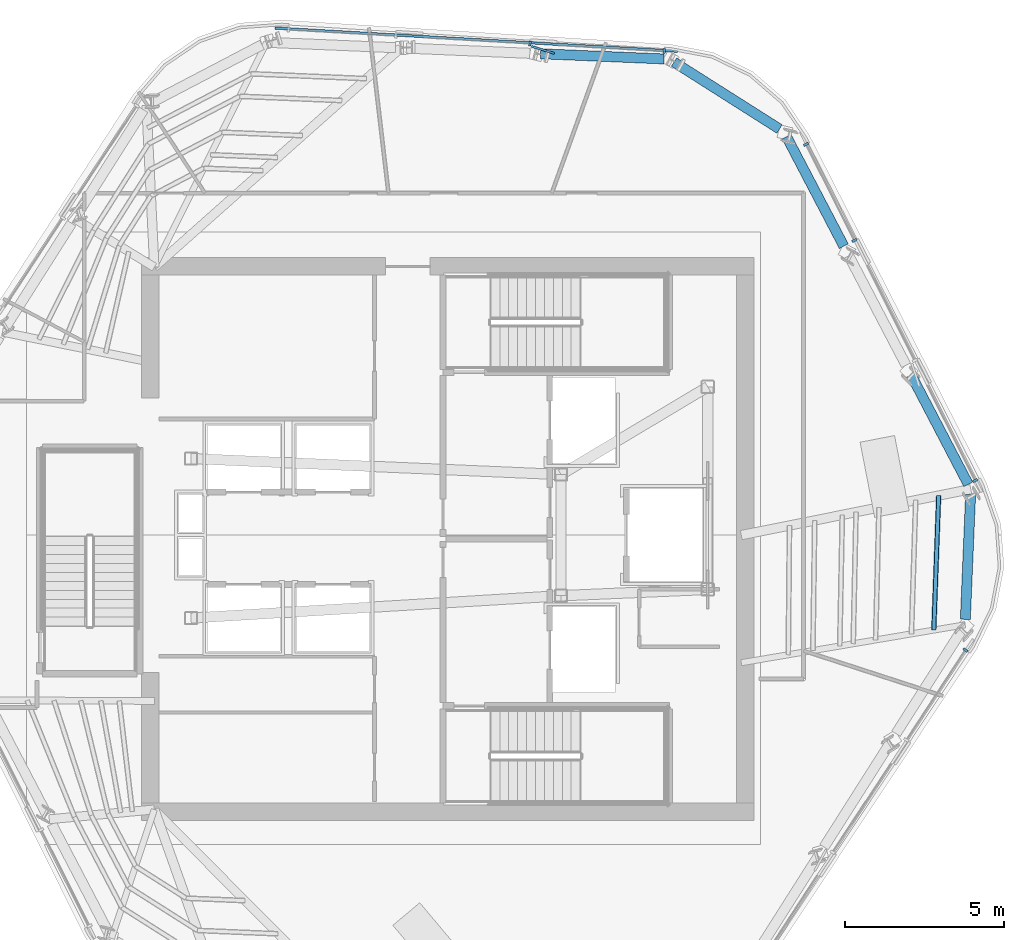
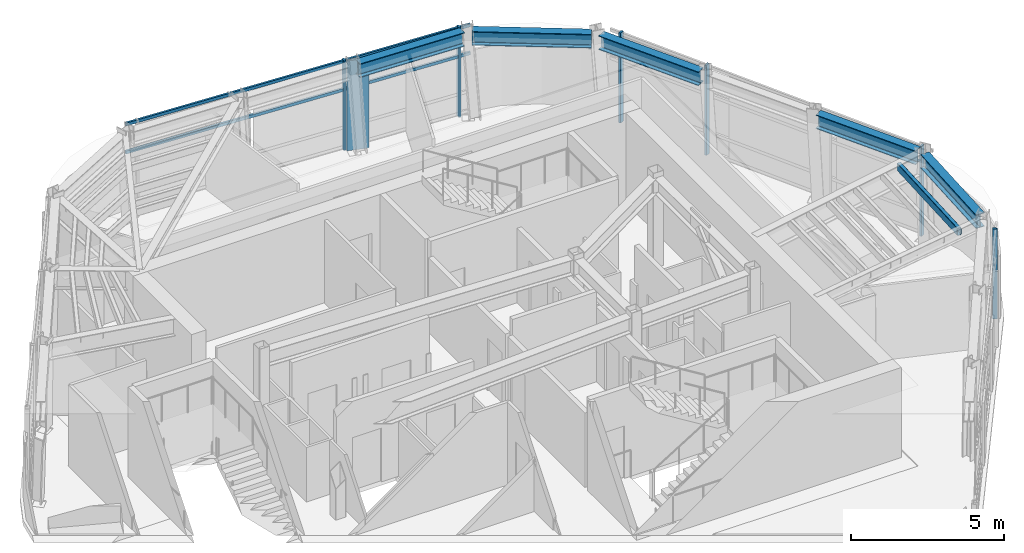
# One storey, part 5 of 13: 10 members, 5 beams, 3 elements without a shape of their own.
"""IFC4 building model written with IfcOpenShell, lengths in metres."""

from ifc_helpers import new_model, si_unit, direction, frame, origin, origin_2d, place, context, subcontext, project, spatial, rectangle, hollow_rectangle, i_section, extrude, material, layer, layer_set, material_profile, profile_set, type_object, element, aggregate, save


model = new_model("IFC4")

# Units and contexts
model_context = context("Model", 3, precision=1e-05, world=origin(), true_north=direction((0.0, 1.0)))
body_context = subcontext(model_context, "Body", "Model", "MODEL_VIEW")
ifc_project = project(units=[si_unit("LENGTHUNIT", "METRE"), si_unit("AREAUNIT", "SQUARE_METRE"), si_unit("VOLUMEUNIT", "CUBIC_METRE"), si_unit("PLANEANGLEUNIT", "RADIAN"), si_unit("MASSUNIT", "GRAM", prefix="KILO")], contexts=[model_context])

# Site, building, storey
site_placement = place(None, origin())
site = spatial("IfcSite", under=ifc_project, at=site_placement, CompositionType="ELEMENT")
building_placement = place(site_placement, origin())
building = spatial("IfcBuilding", under=site, at=building_placement, Name="Valkerne Bourse Tower", CompositionType="ELEMENT")
storey_placement = place(building_placement, frame((0.0, 0.0, 269.800048828125)))
storey = spatial("IfcBuildingStorey", under=building, at=storey_placement, Name="L68", CompositionType="ELEMENT", Elevation=269.800048828125)

# Beams
ifc_material_1 = material(Name="Steel ASTM A992", Category="steel")
ifc_material_profile_1 = material_profile(ifc_material_1, i_section(OverallWidth=0.31494140625, OverallDepth=0.5537109375, WebThickness=0.0166015625, FlangeThickness=0.026123046875, FilletRadius=0.020263671875, at=origin_2d()), Name="W21X132")
ifc_profile_set_1 = profile_set([ifc_material_profile_1], Name="Steel ASTM A992")
beam_type = type_object("IfcBeamType", Name="BM-W21X132", PredefinedType="BEAM", material=ifc_profile_set_1)
beam_1_placement = place(storey_placement, frame((53.5791015625, 41.927978515625, 3.322998046875), z_axis=(-0.999123210399, 0.041866579055, 0.0), x_axis=(-0.041866579055, -0.999123210399, 0.0)))
element("IfcBeam", 1, at=beam_1_placement, inside=storey, type_object=beam_type, Name="L68 Hexagonal Spandrel Ring Beam 00", PredefinedType="BEAM", context=body_context, shape_type="SweptSolid", body=[
    extrude(i_section(OverallWidth=0.31494140625, OverallDepth=0.5537109375, WebThickness=0.0166015625, FlangeThickness=0.026123046875, FilletRadius=0.020263671875, at=origin_2d()), origin(), (0.0, 0.0, 1.0), 3.8720703125),
])
beam_2_placement = place(storey_placement, frame((63.025146484375, 24.360595703125, 3.322998046875), z_axis=(0.04190026513, 0.999121798272, 0.0), x_axis=(-0.999121798272, 0.04190026513, 0.0)))
element("IfcBeam", 2, at=beam_2_placement, inside=storey, type_object=beam_type, Name="L68 Hexagonal Spandrel Ring Beam 19", PredefinedType="BEAM", context=body_context, shape_type="SweptSolid", body=[
    extrude(i_section(OverallWidth=0.31494140625, OverallDepth=0.5537109375, WebThickness=0.0166015625, FlangeThickness=0.026123046875, FilletRadius=0.020263671875, at=origin_2d()), origin(), (0.0, 0.0, 1.0), 3.91552734375),
])
for number, where, z_axis, x_axis, name in (
    (3, (63.117431640625, 28.59326171875, 3.322998046875), (-0.463283473912, 0.886210145959, 0.0), (-0.886210145959, -0.463283473912, 0.0), "L68 Hexagonal Spandrel Ring Beam 20"),
    (4, (59.214599609375, 36.05859375, 3.322998046875), (-0.463257585862, 0.886223678956, 0.0), (-0.886223678956, -0.463257585862, 0.0), "L68 Hexagonal Spandrel Ring Beam 22"),
):
    element("IfcBeam", number, at=place(storey_placement, frame(where, z_axis=z_axis, x_axis=x_axis)), inside=storey, type_object=beam_type, Name=name, PredefinedType="BEAM", context=body_context, shape_type="SweptSolid", body=[
        extrude(i_section(OverallWidth=0.31494140625, OverallDepth=0.5537109375, WebThickness=0.0166015625, FlangeThickness=0.026123046875, FilletRadius=0.020263671875, at=origin_2d()), origin(), (0.0, 0.0, 1.0), 3.871826171875),
    ])
beam_3_placement = place(storey_placement, frame((57.198486328125, 39.731689453125, 3.322998046875), z_axis=(-0.844356542503, 0.535781699138, 0.0), x_axis=(-0.535781699138, -0.844356542503, 0.0)))
element("IfcBeam", 5, at=beam_3_placement, inside=storey, type_object=beam_type, Name="L68 Hexagonal Spandrel Ring Beam 23", PredefinedType="BEAM", context=body_context, shape_type="SweptSolid", body=[
    extrude(i_section(OverallWidth=0.31494140625, OverallDepth=0.5537109375, WebThickness=0.0166015625, FlangeThickness=0.026123046875, FilletRadius=0.020263671875, at=origin_2d()), origin(), (0.0, 0.0, 1.0), 3.91552734375),
])

# Curtain wall, members
ifc_material_2 = material(Name="Aluminium AA 6063-T6", Category="aluminium")
ifc_layer = layer(ifc_material_2, 0.2451171875)
ifc_layer_set = layer_set([ifc_layer], Name="Aluminium AA 6063-T6")
curtain_wall_type = type_object("IfcCurtainWallType", Name="CW-05", PredefinedType="NOTDEFINED", material=ifc_layer_set)
curtain_wall_1_placement = place(storey_placement, origin())
curtain_wall_1 = element("IfcCurtainWall", 6, at=curtain_wall_1_placement, inside=storey, type_object=curtain_wall_type, Name="L68 Hexagonal Stick Curtain Wall Face 1", PredefinedType="NOTDEFINED")
ifc_material_profile_2 = material_profile(ifc_material_2, rectangle(XDim=0.074951171875, YDim=0.159912109375, at=origin_2d()), Name="CWM-75X160")
ifc_profile_set_2 = profile_set([ifc_material_profile_2], Name="Aluminium AA 6063-T6")
member_type_1 = type_object("IfcMemberType", Name="CW-MUL-160X75", PredefinedType="MULLION", material=ifc_profile_set_2)
member_1_placement = place(storey_placement, frame((53.582763671875, 42.173583984375, 0.0), z_axis=(0.0, 0.0, 1.0), x_axis=(-0.99834261844, 0.05755011908, 0.0)))
member_1 = element("IfcMember", 7, at=member_1_placement, type_object=member_type_1, Name="CW-L68-F1 Jamb Mullion 00A", PredefinedType="MULLION", context=body_context, shape_type="SweptSolid", body=[
    extrude(rectangle(XDim=0.074951171875, YDim=0.159912109375, at=origin_2d()), origin(), (0.0, 0.0, 1.0), 3.599853515625),
])
member_2_placement = place(storey_placement, frame((49.377685546875, 42.416015625, 0.0), z_axis=(0.0, 0.0, 1.0), x_axis=(-0.998341254083, 0.057573782189, 0.0)))
member_2 = element("IfcMember", 8, at=member_2_placement, type_object=member_type_1, Name="CW-L68-F1 Jamb Mullion 01A", PredefinedType="MULLION", context=body_context, shape_type="SweptSolid", body=[
    extrude(rectangle(XDim=0.074951171875, YDim=0.159912109375, at=origin_2d()), origin(), (0.0, 0.0, 1.0), 3.599853515625),
])

# Curtain wall, member
curtain_wall_2_placement = place(storey_placement, origin())
curtain_wall_2 = element("IfcCurtainWall", 9, at=curtain_wall_2_placement, inside=storey, type_object=curtain_wall_type, Name="L68 Hexagonal Stick Curtain Wall Face 5", PredefinedType="NOTDEFINED")
member_3_placement = place(storey_placement, frame((63.025390625, 23.3984375, 0.0), z_axis=(0.0, 0.0, 1.0), x_axis=(0.549011112876, 0.835815050079, 0.0)))
member_3 = element("IfcMember", 10, at=member_3_placement, type_object=member_type_1, Name="CW-L68-F5 Jamb Mullion 02B", PredefinedType="MULLION", context=body_context, shape_type="SweptSolid", body=[
    extrude(rectangle(XDim=0.074951171875, YDim=0.159912109375, at=origin_2d()), origin(), (0.0, 0.0, 1.0), 3.599853515625),
])
aggregate(curtain_wall_2, [member_3])

# Curtain wall, members
curtain_wall_3_placement = place(storey_placement, origin())
curtain_wall_3 = element("IfcCurtainWall", 11, at=curtain_wall_3_placement, inside=storey, type_object=curtain_wall_type, Name="L68 Hexagonal Stick Curtain Wall Face 6", PredefinedType="NOTDEFINED")
member_4_placement = place(storey_placement, frame((63.331787109375, 28.712890625, 0.0), z_axis=(0.0, 0.0, 1.0), x_axis=(-0.449320658225, 0.893370553629, 0.0)))
member_4 = element("IfcMember", 12, at=member_4_placement, type_object=member_type_1, Name="CW-L68-F6 Jamb Mullion 00A", PredefinedType="MULLION", context=body_context, shape_type="SweptSolid", body=[
    extrude(rectangle(XDim=0.074951171875, YDim=0.159912109375, at=origin_2d()), origin(), (0.0, 0.0, 1.0), 3.599853515625),
])
member_5_placement = place(storey_placement, frame((59.546875, 36.238525390625, 0.0), z_axis=(0.0, 0.0, 1.0), x_axis=(-0.449330076439, 0.893365816677, 0.0)))
member_5 = element("IfcMember", 13, at=member_5_placement, type_object=member_type_1, Name="CW-L68-F6 Jamb Mullion 02A", PredefinedType="MULLION", context=body_context, shape_type="SweptSolid", body=[
    extrude(rectangle(XDim=0.074951171875, YDim=0.159912109375, at=origin_2d()), origin(), (0.0, 0.0, 1.0), 3.599853515625),
])
member_6_placement = place(storey_placement, frame((58.03173828125, 39.2509765625, 0.0), z_axis=(0.0, 0.0, 1.0), x_axis=(-0.449330076439, 0.893365816677, 0.0)))
member_6 = element("IfcMember", 14, at=member_6_placement, type_object=member_type_1, Name="CW-L68-F6 Jamb Mullion 02B", PredefinedType="MULLION", context=body_context, shape_type="SweptSolid", body=[
    extrude(rectangle(XDim=0.074951171875, YDim=0.159912109375, at=origin_2d()), origin(), (0.0, 0.0, 1.0), 3.599853515625),
])
aggregate(curtain_wall_3, [member_4, member_5, member_6])

# Member
ifc_material_profile_3 = material_profile(ifc_material_2, rectangle(XDim=0.074951171875, YDim=0.1201171875, at=origin_2d()), Name="CWT-75X120")
ifc_profile_set_3 = profile_set([ifc_material_profile_3], Name="Aluminium AA 6063-T6")
member_type_2 = type_object("IfcMemberType", Name="CW-TRN-120X75", PredefinedType="USERDEFINED", material=ifc_profile_set_3)
member_7_placement = place(storey_placement, frame((54.003173828125, 42.169189453125, 2.39990234375), z_axis=(-0.998342184249, 0.057557650653, 0.0), x_axis=(-0.057557650653, -0.998342184249, 0.0)))
member_7 = element("IfcMember", 15, at=member_7_placement, type_object=member_type_2, Name="CW-L68-F1 Continuous Face Transom 3", ObjectType="TRANSOM", PredefinedType="USERDEFINED", context=body_context, shape_type="SweptSolid", body=[
    extrude(rectangle(XDim=0.074951171875, YDim=0.1201171875, at=origin_2d()), origin(), (0.0, 0.0, 1.0), 12.635986328125),
])

member_8_placement = place(storey_placement, frame((54.003173828125, 42.169189453125, 3.52001953125), z_axis=(-0.998342184249, 0.057557650653, 0.0), x_axis=(-0.057557650653, -0.998342184249, 0.0)))
member_8 = element("IfcMember", 16, at=member_8_placement, type_object=member_type_2, Name="CW-L68-F1 Continuous Face Transom 4", ObjectType="TRANSOM", PredefinedType="USERDEFINED", context=body_context, shape_type="SweptSolid", body=[
    extrude(rectangle(XDim=0.074951171875, YDim=0.1201171875, at=origin_2d()), origin(), (0.0, 0.0, 1.0), 12.635986328125),
])

aggregate(curtain_wall_1, [member_7, member_8, member_1, member_2])

# Members
ifc_material_3 = material(Name="Bronze Anodised Aluminium AA 6063-T6", Category="aluminium")
ifc_material_profile_4 = material_profile(ifc_material_3, rectangle(XDim=0.06494140625, YDim=0.75, at=origin_2d()), Name="FIN-65X750")
ifc_profile_set_4 = profile_set([ifc_material_profile_4], Name="Bronze Anodised Aluminium AA 6063-T6")
member_type_3 = type_object("IfcMemberType", Name="FIN-SOLAR-650", PredefinedType="USERDEFINED", material=ifc_profile_set_4)
member_9_placement = place(storey_placement, frame((49.78662109375, 42.2119140625, 0.00390625), z_axis=(0.0, 0.0, 1.0), x_axis=(0.294699099932, 0.95559010067, 0.0)))
element("IfcMember", 17, at=member_9_placement, inside=storey, type_object=member_type_3, Name="L68 Bronze Anodised Solar Fin F1-01", ObjectType="SOLAR_FIN", PredefinedType="USERDEFINED", context=body_context, shape_type="SweptSolid", body=[
    extrude(rectangle(XDim=0.06494140625, YDim=0.75, at=origin_2d()), origin(), (0.0, 0.0, 1.0), 3.592041015625),
])
ifc_material_4 = material(Name="Steel ASTM A500 Grade C", Category="steel")
ifc_material_profile_5 = material_profile(ifc_material_4, hollow_rectangle(XDim=0.14990234375, YDim=0.300048828125, WallThickness=0.012451171875, OuterFilletRadius=0.02490234375, at=origin_2d()), Name="HSS300X150X12.5")
ifc_profile_set_5 = profile_set([ifc_material_profile_5], Name="Steel ASTM A500 Grade C")
member_type_4 = type_object("IfcMemberType", Name="MBR-HSS300X150X12.5", PredefinedType="PURLIN", material=ifc_profile_set_5)
member_10_placement = place(storey_placement, frame((62.03564453125, 24.02392578125, 3.43994140625), z_axis=(0.036279730735, 0.999341673872, 0.0), x_axis=(-0.999341673872, 0.036279730735, 0.0)))
element("IfcMember", 18, at=member_10_placement, inside=storey, type_object=member_type_4, Name="L68 Secondary Composite Floor Purlin T-19", PredefinedType="PURLIN", context=body_context, shape_type="SweptSolid", body=[
    extrude(hollow_rectangle(XDim=0.14990234375, YDim=0.300048828125, WallThickness=0.012451171875, OuterFilletRadius=0.02490234375, at=origin_2d()), origin(), (0.0, 0.0, 1.0), 4.21923828125),
])

save(model, "model.ifc")
